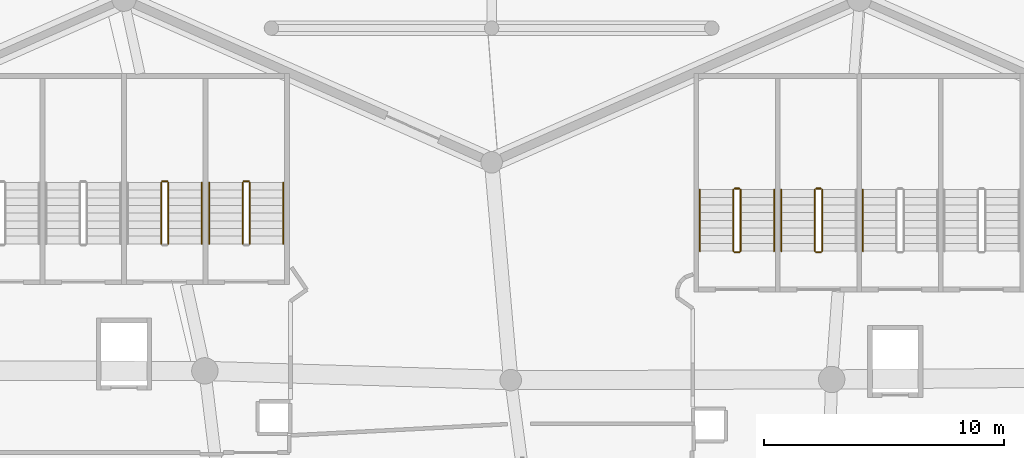
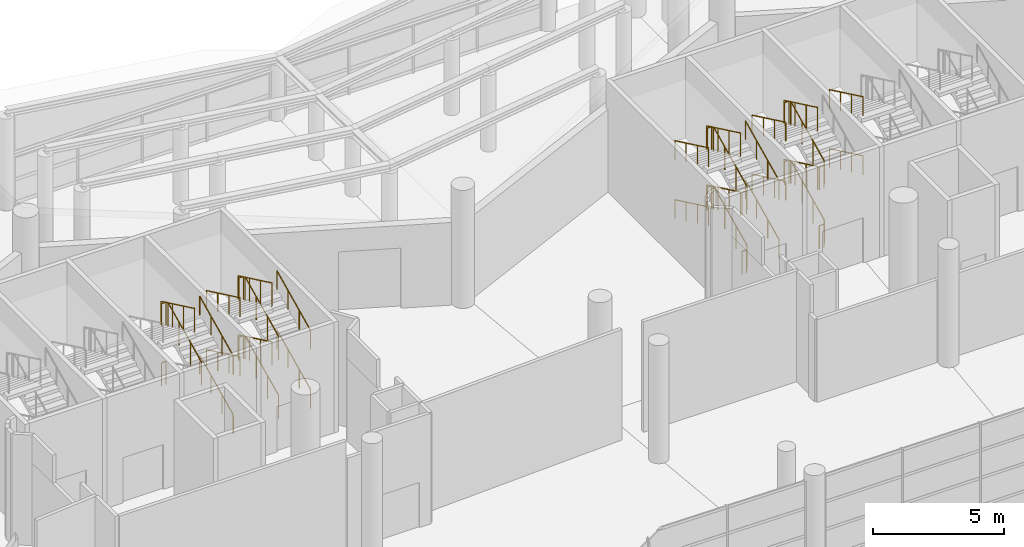
# One storey, part 259 of 271: 40 railings.
"""IFC4 building model written with IfcOpenShell, lengths in metres."""

from ifc_helpers import new_model, si_unit, direction, frame, origin, origin_2d, place, context, subcontext, project, spatial, circle, extrude, material, type_object, element, save


model = new_model("IFC4")

# Units and contexts
model_context = context("Model", 3, precision=1e-05, world=origin(), true_north=direction((0.0, 1.0)))
body_context = subcontext(model_context, "Body", "Model", "MODEL_VIEW")
ifc_project = project(units=[si_unit("LENGTHUNIT", "METRE"), si_unit("AREAUNIT", "SQUARE_METRE"), si_unit("VOLUMEUNIT", "CUBIC_METRE"), si_unit("PLANEANGLEUNIT", "RADIAN"), si_unit("MASSUNIT", "GRAM", prefix="KILO")], contexts=[model_context])

# Site, building, storey
site_placement = place(None, origin())
site = spatial("IfcSite", under=ifc_project, at=site_placement, CompositionType="ELEMENT")
building_placement = place(site_placement, origin())
building = spatial("IfcBuilding", under=site, at=building_placement, Name="Meseta Stadium", CompositionType="ELEMENT")
storey_placement = place(building_placement, frame((0.0, 0.0, 6.5)))
storey = spatial("IfcBuildingStorey", under=building, at=storey_placement, Name="L01", CompositionType="ELEMENT", Elevation=6.5)

# Railings
ifc_material_1 = material(Name="Steel S355", Category="steel")
railing_type_1 = type_object("IfcRailingType", Name="Stair guard 1100", PredefinedType="GUARDRAIL", material=ifc_material_1)
railing_1_placement = place(storey_placement, frame((6.11669921875, 94.89990234375, 0.15283203125)))
element("IfcRailing", 1, at=railing_1_placement, inside=storey, type_object=railing_type_1, Name="ST39 L01 guard 1", PredefinedType="GUARDRAIL", context=body_context, shape_type="SweptSolid", body=[
    extrude(circle(Radius=0.02392578125, at=origin_2d()), frame((0.0, 0.0, 1.076171875), z_axis=(0.0, 0.902436934422, 0.430821981091), x_axis=(-1.0, 0.0, 0.0)), (0.0, 0.0, 1.0), 2.8369140625),
    extrude(circle(Radius=0.02099609375, at=origin_2d()), origin(), (0.0, 0.0, 1.0), 1.052001953125),
    extrude(circle(Radius=0.02099609375, at=origin_2d()), frame((0.0, 0.853271484375, 0.407470703125)), (0.0, 0.0, 1.0), 1.052001953125),
    extrude(circle(Radius=0.02099609375, at=origin_2d()), frame((0.0, 1.706787109375, 0.814697265625)), (0.0, 0.0, 1.0), 1.052001953125),
    extrude(circle(Radius=0.02099609375, at=origin_2d()), frame((0.0, 2.56005859375, 1.22216796875)), (0.0, 0.0, 1.0), 1.052001953125),
])
railing_2_placement = place(storey_placement, frame((6.066650390625, 97.510009765625, 1.375)))
element("IfcRailing", 2, at=railing_2_placement, inside=storey, type_object=railing_type_1, Name="ST39 L01 guard 2", PredefinedType="GUARDRAIL", context=body_context, shape_type="SweptSolid", body=[
    extrude(circle(Radius=0.02392578125, at=origin_2d()), frame((0.0, 0.0, 1.076171875), z_axis=(-1.0, 0.0, 0.0), x_axis=(0.0, -1.0, 0.0)), (0.0, 0.0, 1.0), 0.199951171875),
    extrude(circle(Radius=0.02099609375, at=origin_2d()), origin(), (0.0, 0.0, 1.0), 1.052001953125),
    extrude(circle(Radius=0.02099609375, at=origin_2d()), frame((-0.199951171875, 0.0, 0.0)), (0.0, 0.0, 1.0), 1.052001953125),
])
railing_3_placement = place(storey_placement, frame((5.816650390625, 97.4599609375, 1.52783203125)))
element("IfcRailing", 3, at=railing_3_placement, inside=storey, type_object=railing_type_1, Name="ST39 L01 guard 3", PredefinedType="GUARDRAIL", context=body_context, shape_type="SweptSolid", body=[
    extrude(circle(Radius=0.02392578125, at=origin_2d()), frame((0.0, 0.0, 1.076171875), z_axis=(0.0, -0.902436934422, 0.430821981091), x_axis=(1.0, 0.0, 0.0)), (0.0, 0.0, 1.0), 2.8369140625),
    extrude(circle(Radius=0.02099609375, at=origin_2d()), origin(), (0.0, 0.0, 1.0), 1.052001953125),
    extrude(circle(Radius=0.02099609375, at=origin_2d()), frame((0.0, -0.853271484375, 0.407470703125)), (0.0, 0.0, 1.0), 1.052001953125),
    extrude(circle(Radius=0.02099609375, at=origin_2d()), frame((0.0, -1.706787109375, 0.814697265625)), (0.0, 0.0, 1.0), 1.052001953125),
    extrude(circle(Radius=0.02099609375, at=origin_2d()), frame((0.0, -2.56005859375, 1.22216796875)), (0.0, 0.0, 1.0), 1.052001953125),
])
railing_4_placement = place(storey_placement, frame((6.066650390625, 94.85009765625, 2.75)))
element("IfcRailing", 4, at=railing_4_placement, inside=storey, type_object=railing_type_1, Name="ST39 L01 guard 4", PredefinedType="GUARDRAIL", context=body_context, shape_type="SweptSolid", body=[
    extrude(circle(Radius=0.02392578125, at=origin_2d()), frame((0.0, 0.0, 1.076171875), z_axis=(-1.0, 0.0, 0.0), x_axis=(0.0, -1.0, 0.0)), (0.0, 0.0, 1.0), 0.199951171875),
    extrude(circle(Radius=0.02099609375, at=origin_2d()), origin(), (0.0, 0.0, 1.0), 1.052001953125),
    extrude(circle(Radius=0.02099609375, at=origin_2d()), frame((-0.199951171875, 0.0, 0.0)), (0.0, 0.0, 1.0), 1.052001953125),
])
railing_5_placement = place(storey_placement, frame((6.11669921875, 94.89990234375, 2.90283203125)))
element("IfcRailing", 5, at=railing_5_placement, inside=storey, type_object=railing_type_1, Name="ST39 L01 guard 5", PredefinedType="GUARDRAIL", context=body_context, shape_type="SweptSolid", body=[
    extrude(circle(Radius=0.02392578125, at=origin_2d()), frame((0.0, 0.0, 1.076171875), z_axis=(0.0, 0.902436934422, 0.430821981091), x_axis=(-1.0, 0.0, 0.0)), (0.0, 0.0, 1.0), 2.8369140625),
    extrude(circle(Radius=0.02099609375, at=origin_2d()), origin(), (0.0, 0.0, 1.0), 1.052001953125),
    extrude(circle(Radius=0.02099609375, at=origin_2d()), frame((0.0, 0.853271484375, 0.407470703125)), (0.0, 0.0, 1.0), 1.052001953125),
    extrude(circle(Radius=0.02099609375, at=origin_2d()), frame((0.0, 1.706787109375, 0.814697265625)), (0.0, 0.0, 1.0), 1.052001953125),
    extrude(circle(Radius=0.02099609375, at=origin_2d()), frame((0.0, 2.56005859375, 1.22216796875)), (0.0, 0.0, 1.0), 1.052001953125),
])
railing_6_placement = place(storey_placement, frame((6.066650390625, 97.510009765625, 4.125)))
element("IfcRailing", 6, at=railing_6_placement, inside=storey, type_object=railing_type_1, Name="ST39 L01 guard 6", PredefinedType="GUARDRAIL", context=body_context, shape_type="SweptSolid", body=[
    extrude(circle(Radius=0.02392578125, at=origin_2d()), frame((0.0, 0.0, 1.076171875), z_axis=(-1.0, 0.0, 0.0), x_axis=(0.0, -1.0, 0.0)), (0.0, 0.0, 1.0), 0.199951171875),
    extrude(circle(Radius=0.02099609375, at=origin_2d()), origin(), (0.0, 0.0, 1.0), 1.052001953125),
    extrude(circle(Radius=0.02099609375, at=origin_2d()), frame((-0.199951171875, 0.0, 0.0)), (0.0, 0.0, 1.0), 1.052001953125),
])
railing_7_placement = place(storey_placement, frame((5.816650390625, 97.4599609375, 4.27783203125)))
element("IfcRailing", 7, at=railing_7_placement, inside=storey, type_object=railing_type_1, Name="ST39 L01 guard 7", PredefinedType="GUARDRAIL", context=body_context, shape_type="SweptSolid", body=[
    extrude(circle(Radius=0.02392578125, at=origin_2d()), frame((0.0, 0.0, 1.076171875), z_axis=(0.0, -0.902436934422, 0.430821981091), x_axis=(1.0, 0.0, 0.0)), (0.0, 0.0, 1.0), 2.8369140625),
    extrude(circle(Radius=0.02099609375, at=origin_2d()), origin(), (0.0, 0.0, 1.0), 1.052001953125),
    extrude(circle(Radius=0.02099609375, at=origin_2d()), frame((0.0, -0.853271484375, 0.407470703125)), (0.0, 0.0, 1.0), 1.052001953125),
    extrude(circle(Radius=0.02099609375, at=origin_2d()), frame((0.0, -1.706787109375, 0.814697265625)), (0.0, 0.0, 1.0), 1.052001953125),
    extrude(circle(Radius=0.02099609375, at=origin_2d()), frame((0.0, -2.56005859375, 1.22216796875)), (0.0, 0.0, 1.0), 1.052001953125),
])
railing_8_placement = place(storey_placement, frame((6.066650390625, 94.85009765625, 0.0)))
element("IfcRailing", 8, at=railing_8_placement, inside=storey, type_object=railing_type_1, Name="ST39 L01 guard 8", PredefinedType="GUARDRAIL", context=body_context, shape_type="SweptSolid", body=[
    extrude(circle(Radius=0.02392578125, at=origin_2d()), frame((0.0, 0.0, 1.076171875), z_axis=(-1.0, 0.0, 0.0), x_axis=(0.0, -1.0, 0.0)), (0.0, 0.0, 1.0), 0.199951171875),
    extrude(circle(Radius=0.02099609375, at=origin_2d()), origin(), (0.0, 0.0, 1.0), 1.052001953125),
    extrude(circle(Radius=0.02099609375, at=origin_2d()), frame((-0.199951171875, 0.0, 0.0)), (0.0, 0.0, 1.0), 1.052001953125),
])
railing_9_placement = place(storey_placement, frame((2.716552734375, 94.89990234375, 0.15283203125)))
element("IfcRailing", 9, at=railing_9_placement, inside=storey, type_object=railing_type_1, Name="ST40 L01 guard 1", PredefinedType="GUARDRAIL", context=body_context, shape_type="SweptSolid", body=[
    extrude(circle(Radius=0.02392578125, at=origin_2d()), frame((0.0, 0.0, 1.076171875), z_axis=(0.0, 0.902436934422, 0.430821981091), x_axis=(-1.0, 0.0, 0.0)), (0.0, 0.0, 1.0), 2.8369140625),
    extrude(circle(Radius=0.02099609375, at=origin_2d()), origin(), (0.0, 0.0, 1.0), 1.052001953125),
    extrude(circle(Radius=0.02099609375, at=origin_2d()), frame((0.0, 0.853271484375, 0.407470703125)), (0.0, 0.0, 1.0), 1.052001953125),
    extrude(circle(Radius=0.02099609375, at=origin_2d()), frame((0.0, 1.706787109375, 0.814697265625)), (0.0, 0.0, 1.0), 1.052001953125),
    extrude(circle(Radius=0.02099609375, at=origin_2d()), frame((0.0, 2.56005859375, 1.22216796875)), (0.0, 0.0, 1.0), 1.052001953125),
])
railing_10_placement = place(storey_placement, frame((2.666748046875, 97.510009765625, 1.375)))
element("IfcRailing", 10, at=railing_10_placement, inside=storey, type_object=railing_type_1, Name="ST40 L01 guard 2", PredefinedType="GUARDRAIL", context=body_context, shape_type="SweptSolid", body=[
    extrude(circle(Radius=0.02392578125, at=origin_2d()), frame((0.0, 0.0, 1.076171875), z_axis=(-1.0, 0.0, 0.0), x_axis=(0.0, -1.0, 0.0)), (0.0, 0.0, 1.0), 0.2001953125),
    extrude(circle(Radius=0.02099609375, at=origin_2d()), origin(), (0.0, 0.0, 1.0), 1.052001953125),
    extrude(circle(Radius=0.02099609375, at=origin_2d()), frame((-0.2001953125, 0.0, 0.0)), (0.0, 0.0, 1.0), 1.052001953125),
])
railing_11_placement = place(storey_placement, frame((2.416748046875, 97.4599609375, 1.52783203125)))
element("IfcRailing", 11, at=railing_11_placement, inside=storey, type_object=railing_type_1, Name="ST40 L01 guard 3", PredefinedType="GUARDRAIL", context=body_context, shape_type="SweptSolid", body=[
    extrude(circle(Radius=0.02392578125, at=origin_2d()), frame((0.0, 0.0, 1.076171875), z_axis=(0.0, -0.902436934422, 0.430821981091), x_axis=(1.0, 0.0, 0.0)), (0.0, 0.0, 1.0), 2.8369140625),
    extrude(circle(Radius=0.02099609375, at=origin_2d()), origin(), (0.0, 0.0, 1.0), 1.052001953125),
    extrude(circle(Radius=0.02099609375, at=origin_2d()), frame((0.0, -0.853271484375, 0.407470703125)), (0.0, 0.0, 1.0), 1.052001953125),
    extrude(circle(Radius=0.02099609375, at=origin_2d()), frame((0.0, -1.706787109375, 0.814697265625)), (0.0, 0.0, 1.0), 1.052001953125),
    extrude(circle(Radius=0.02099609375, at=origin_2d()), frame((0.0, -2.56005859375, 1.22216796875)), (0.0, 0.0, 1.0), 1.052001953125),
])
railing_12_placement = place(storey_placement, frame((2.666748046875, 94.85009765625, 2.75)))
element("IfcRailing", 12, at=railing_12_placement, inside=storey, type_object=railing_type_1, Name="ST40 L01 guard 4", PredefinedType="GUARDRAIL", context=body_context, shape_type="SweptSolid", body=[
    extrude(circle(Radius=0.02392578125, at=origin_2d()), frame((0.0, 0.0, 1.076171875), z_axis=(-1.0, 0.0, 0.0), x_axis=(0.0, -1.0, 0.0)), (0.0, 0.0, 1.0), 0.2001953125),
    extrude(circle(Radius=0.02099609375, at=origin_2d()), origin(), (0.0, 0.0, 1.0), 1.052001953125),
    extrude(circle(Radius=0.02099609375, at=origin_2d()), frame((-0.2001953125, 0.0, 0.0)), (0.0, 0.0, 1.0), 1.052001953125),
])
railing_13_placement = place(storey_placement, frame((2.716552734375, 94.89990234375, 2.90283203125)))
element("IfcRailing", 13, at=railing_13_placement, inside=storey, type_object=railing_type_1, Name="ST40 L01 guard 5", PredefinedType="GUARDRAIL", context=body_context, shape_type="SweptSolid", body=[
    extrude(circle(Radius=0.02392578125, at=origin_2d()), frame((0.0, 0.0, 1.076171875), z_axis=(0.0, 0.902436934422, 0.430821981091), x_axis=(-1.0, 0.0, 0.0)), (0.0, 0.0, 1.0), 2.8369140625),
    extrude(circle(Radius=0.02099609375, at=origin_2d()), origin(), (0.0, 0.0, 1.0), 1.052001953125),
    extrude(circle(Radius=0.02099609375, at=origin_2d()), frame((0.0, 0.853271484375, 0.407470703125)), (0.0, 0.0, 1.0), 1.052001953125),
    extrude(circle(Radius=0.02099609375, at=origin_2d()), frame((0.0, 1.706787109375, 0.814697265625)), (0.0, 0.0, 1.0), 1.052001953125),
    extrude(circle(Radius=0.02099609375, at=origin_2d()), frame((0.0, 2.56005859375, 1.22216796875)), (0.0, 0.0, 1.0), 1.052001953125),
])
railing_14_placement = place(storey_placement, frame((2.666748046875, 97.510009765625, 4.125)))
element("IfcRailing", 14, at=railing_14_placement, inside=storey, type_object=railing_type_1, Name="ST40 L01 guard 6", PredefinedType="GUARDRAIL", context=body_context, shape_type="SweptSolid", body=[
    extrude(circle(Radius=0.02392578125, at=origin_2d()), frame((0.0, 0.0, 1.076171875), z_axis=(-1.0, 0.0, 0.0), x_axis=(0.0, -1.0, 0.0)), (0.0, 0.0, 1.0), 0.2001953125),
    extrude(circle(Radius=0.02099609375, at=origin_2d()), origin(), (0.0, 0.0, 1.0), 1.052001953125),
    extrude(circle(Radius=0.02099609375, at=origin_2d()), frame((-0.2001953125, 0.0, 0.0)), (0.0, 0.0, 1.0), 1.052001953125),
])
railing_15_placement = place(storey_placement, frame((2.416748046875, 97.4599609375, 4.27783203125)))
element("IfcRailing", 15, at=railing_15_placement, inside=storey, type_object=railing_type_1, Name="ST40 L01 guard 7", PredefinedType="GUARDRAIL", context=body_context, shape_type="SweptSolid", body=[
    extrude(circle(Radius=0.02392578125, at=origin_2d()), frame((0.0, 0.0, 1.076171875), z_axis=(0.0, -0.902436934422, 0.430821981091), x_axis=(1.0, 0.0, 0.0)), (0.0, 0.0, 1.0), 2.8369140625),
    extrude(circle(Radius=0.02099609375, at=origin_2d()), origin(), (0.0, 0.0, 1.0), 1.052001953125),
    extrude(circle(Radius=0.02099609375, at=origin_2d()), frame((0.0, -0.853271484375, 0.407470703125)), (0.0, 0.0, 1.0), 1.052001953125),
    extrude(circle(Radius=0.02099609375, at=origin_2d()), frame((0.0, -1.706787109375, 0.814697265625)), (0.0, 0.0, 1.0), 1.052001953125),
    extrude(circle(Radius=0.02099609375, at=origin_2d()), frame((0.0, -2.56005859375, 1.22216796875)), (0.0, 0.0, 1.0), 1.052001953125),
])
railing_16_placement = place(storey_placement, frame((2.666748046875, 94.85009765625, 0.0)))
element("IfcRailing", 16, at=railing_16_placement, inside=storey, type_object=railing_type_1, Name="ST40 L01 guard 8", PredefinedType="GUARDRAIL", context=body_context, shape_type="SweptSolid", body=[
    extrude(circle(Radius=0.02392578125, at=origin_2d()), frame((0.0, 0.0, 1.076171875), z_axis=(-1.0, 0.0, 0.0), x_axis=(0.0, -1.0, 0.0)), (0.0, 0.0, 1.0), 0.2001953125),
    extrude(circle(Radius=0.02099609375, at=origin_2d()), origin(), (0.0, 0.0, 1.0), 1.052001953125),
    extrude(circle(Radius=0.02099609375, at=origin_2d()), frame((-0.2001953125, 0.0, 0.0)), (0.0, 0.0, 1.0), 1.052001953125),
])
railing_17_placement = place(storey_placement, frame((-17.75, 95.199951171875, 0.15283203125)))
element("IfcRailing", 17, at=railing_17_placement, inside=storey, type_object=railing_type_1, Name="ST41 L01 guard 1", PredefinedType="GUARDRAIL", context=body_context, shape_type="SweptSolid", body=[
    extrude(circle(Radius=0.02392578125, at=origin_2d()), frame((0.0, 0.0, 1.076171875), z_axis=(0.0, 0.902436934422, 0.430821981091), x_axis=(-1.0, 0.0, 0.0)), (0.0, 0.0, 1.0), 2.8369140625),
    extrude(circle(Radius=0.02099609375, at=origin_2d()), origin(), (0.0, 0.0, 1.0), 1.052001953125),
    extrude(circle(Radius=0.02099609375, at=origin_2d()), frame((0.0, 0.853271484375, 0.407470703125)), (0.0, 0.0, 1.0), 1.052001953125),
    extrude(circle(Radius=0.02099609375, at=origin_2d()), frame((0.0, 1.706787109375, 0.814697265625)), (0.0, 0.0, 1.0), 1.052001953125),
    extrude(circle(Radius=0.02099609375, at=origin_2d()), frame((0.0, 2.56005859375, 1.22216796875)), (0.0, 0.0, 1.0), 1.052001953125),
])
railing_18_placement = place(storey_placement, frame((-17.800048828125, 97.81005859375, 1.375)))
element("IfcRailing", 18, at=railing_18_placement, inside=storey, type_object=railing_type_1, Name="ST41 L01 guard 2", PredefinedType="GUARDRAIL", context=body_context, shape_type="SweptSolid", body=[
    extrude(circle(Radius=0.02392578125, at=origin_2d()), frame((0.0, 0.0, 1.076171875), z_axis=(-1.0, 0.0, 0.0), x_axis=(0.0, -1.0, 0.0)), (0.0, 0.0, 1.0), 0.199951171875),
    extrude(circle(Radius=0.02099609375, at=origin_2d()), origin(), (0.0, 0.0, 1.0), 1.052001953125),
    extrude(circle(Radius=0.02099609375, at=origin_2d()), frame((-0.199951171875, 0.0, 0.0)), (0.0, 0.0, 1.0), 1.052001953125),
])
railing_19_placement = place(storey_placement, frame((-18.050048828125, 97.760009765625, 1.52783203125)))
element("IfcRailing", 19, at=railing_19_placement, inside=storey, type_object=railing_type_1, Name="ST41 L01 guard 3", PredefinedType="GUARDRAIL", context=body_context, shape_type="SweptSolid", body=[
    extrude(circle(Radius=0.02392578125, at=origin_2d()), frame((0.0, 0.0, 1.076171875), z_axis=(0.0, -0.902436934422, 0.430821981091), x_axis=(1.0, 0.0, 0.0)), (0.0, 0.0, 1.0), 2.8369140625),
    extrude(circle(Radius=0.02099609375, at=origin_2d()), origin(), (0.0, 0.0, 1.0), 1.052001953125),
    extrude(circle(Radius=0.02099609375, at=origin_2d()), frame((0.0, -0.853271484375, 0.407470703125)), (0.0, 0.0, 1.0), 1.052001953125),
    extrude(circle(Radius=0.02099609375, at=origin_2d()), frame((0.0, -1.706787109375, 0.814697265625)), (0.0, 0.0, 1.0), 1.052001953125),
    extrude(circle(Radius=0.02099609375, at=origin_2d()), frame((0.0, -2.56005859375, 1.22216796875)), (0.0, 0.0, 1.0), 1.052001953125),
])
railing_20_placement = place(storey_placement, frame((-17.75, 95.199951171875, 2.90283203125)))
element("IfcRailing", 20, at=railing_20_placement, inside=storey, type_object=railing_type_1, Name="ST41 L01 guard 5", PredefinedType="GUARDRAIL", context=body_context, shape_type="SweptSolid", body=[
    extrude(circle(Radius=0.02392578125, at=origin_2d()), frame((0.0, 0.0, 1.076171875), z_axis=(0.0, 0.902436934422, 0.430821981091), x_axis=(-1.0, 0.0, 0.0)), (0.0, 0.0, 1.0), 2.8369140625),
    extrude(circle(Radius=0.02099609375, at=origin_2d()), origin(), (0.0, 0.0, 1.0), 1.052001953125),
    extrude(circle(Radius=0.02099609375, at=origin_2d()), frame((0.0, 0.853271484375, 0.407470703125)), (0.0, 0.0, 1.0), 1.052001953125),
    extrude(circle(Radius=0.02099609375, at=origin_2d()), frame((0.0, 1.706787109375, 0.814697265625)), (0.0, 0.0, 1.0), 1.052001953125),
    extrude(circle(Radius=0.02099609375, at=origin_2d()), frame((0.0, 2.56005859375, 1.22216796875)), (0.0, 0.0, 1.0), 1.052001953125),
])
railing_21_placement = place(storey_placement, frame((-17.800048828125, 97.81005859375, 4.125)))
element("IfcRailing", 21, at=railing_21_placement, inside=storey, type_object=railing_type_1, Name="ST41 L01 guard 6", PredefinedType="GUARDRAIL", context=body_context, shape_type="SweptSolid", body=[
    extrude(circle(Radius=0.02392578125, at=origin_2d()), frame((0.0, 0.0, 1.076171875), z_axis=(-1.0, 0.0, 0.0), x_axis=(0.0, -1.0, 0.0)), (0.0, 0.0, 1.0), 0.199951171875),
    extrude(circle(Radius=0.02099609375, at=origin_2d()), origin(), (0.0, 0.0, 1.0), 1.052001953125),
    extrude(circle(Radius=0.02099609375, at=origin_2d()), frame((-0.199951171875, 0.0, 0.0)), (0.0, 0.0, 1.0), 1.052001953125),
])
railing_22_placement = place(storey_placement, frame((-18.050048828125, 97.760009765625, 4.27783203125)))
element("IfcRailing", 22, at=railing_22_placement, inside=storey, type_object=railing_type_1, Name="ST41 L01 guard 7", PredefinedType="GUARDRAIL", context=body_context, shape_type="SweptSolid", body=[
    extrude(circle(Radius=0.02392578125, at=origin_2d()), frame((0.0, 0.0, 1.076171875), z_axis=(0.0, -0.902436934422, 0.430821981091), x_axis=(1.0, 0.0, 0.0)), (0.0, 0.0, 1.0), 2.8369140625),
    extrude(circle(Radius=0.02099609375, at=origin_2d()), origin(), (0.0, 0.0, 1.0), 1.052001953125),
    extrude(circle(Radius=0.02099609375, at=origin_2d()), frame((0.0, -0.853271484375, 0.407470703125)), (0.0, 0.0, 1.0), 1.052001953125),
    extrude(circle(Radius=0.02099609375, at=origin_2d()), frame((0.0, -1.706787109375, 0.814697265625)), (0.0, 0.0, 1.0), 1.052001953125),
    extrude(circle(Radius=0.02099609375, at=origin_2d()), frame((0.0, -2.56005859375, 1.22216796875)), (0.0, 0.0, 1.0), 1.052001953125),
])
railing_23_placement = place(storey_placement, frame((-21.199951171875, 97.81005859375, 1.375)))
element("IfcRailing", 23, at=railing_23_placement, inside=storey, type_object=railing_type_1, Name="ST42 L01 guard 2", PredefinedType="GUARDRAIL", context=body_context, shape_type="SweptSolid", body=[
    extrude(circle(Radius=0.02392578125, at=origin_2d()), frame((0.0, 0.0, 1.076171875), z_axis=(-1.0, 0.0, 0.0), x_axis=(0.0, -1.0, 0.0)), (0.0, 0.0, 1.0), 0.199951171875),
    extrude(circle(Radius=0.02099609375, at=origin_2d()), origin(), (0.0, 0.0, 1.0), 1.052001953125),
    extrude(circle(Radius=0.02099609375, at=origin_2d()), frame((-0.199951171875, 0.0, 0.0)), (0.0, 0.0, 1.0), 1.052001953125),
])
railing_24_placement = place(storey_placement, frame((-21.14990234375, 95.199951171875, 2.90283203125)))
element("IfcRailing", 24, at=railing_24_placement, inside=storey, type_object=railing_type_1, Name="ST42 L01 guard 5", PredefinedType="GUARDRAIL", context=body_context, shape_type="SweptSolid", body=[
    extrude(circle(Radius=0.02392578125, at=origin_2d()), frame((0.0, 0.0, 1.076171875), z_axis=(0.0, 0.902436934422, 0.430821981091), x_axis=(-1.0, 0.0, 0.0)), (0.0, 0.0, 1.0), 2.8369140625),
    extrude(circle(Radius=0.02099609375, at=origin_2d()), origin(), (0.0, 0.0, 1.0), 1.052001953125),
    extrude(circle(Radius=0.02099609375, at=origin_2d()), frame((0.0, 0.853271484375, 0.407470703125)), (0.0, 0.0, 1.0), 1.052001953125),
    extrude(circle(Radius=0.02099609375, at=origin_2d()), frame((0.0, 1.706787109375, 0.814697265625)), (0.0, 0.0, 1.0), 1.052001953125),
    extrude(circle(Radius=0.02099609375, at=origin_2d()), frame((0.0, 2.56005859375, 1.22216796875)), (0.0, 0.0, 1.0), 1.052001953125),
])
railing_25_placement = place(storey_placement, frame((-21.199951171875, 97.81005859375, 4.125)))
element("IfcRailing", 25, at=railing_25_placement, inside=storey, type_object=railing_type_1, Name="ST42 L01 guard 6", PredefinedType="GUARDRAIL", context=body_context, shape_type="SweptSolid", body=[
    extrude(circle(Radius=0.02392578125, at=origin_2d()), frame((0.0, 0.0, 1.076171875), z_axis=(-1.0, 0.0, 0.0), x_axis=(0.0, -1.0, 0.0)), (0.0, 0.0, 1.0), 0.199951171875),
    extrude(circle(Radius=0.02099609375, at=origin_2d()), origin(), (0.0, 0.0, 1.0), 1.052001953125),
    extrude(circle(Radius=0.02099609375, at=origin_2d()), frame((-0.199951171875, 0.0, 0.0)), (0.0, 0.0, 1.0), 1.052001953125),
])
railing_26_placement = place(storey_placement, frame((-21.449951171875, 97.760009765625, 4.27783203125)))
element("IfcRailing", 26, at=railing_26_placement, inside=storey, type_object=railing_type_1, Name="ST42 L01 guard 7", PredefinedType="GUARDRAIL", context=body_context, shape_type="SweptSolid", body=[
    extrude(circle(Radius=0.02392578125, at=origin_2d()), frame((0.0, 0.0, 1.076171875), z_axis=(0.0, -0.902436934422, 0.430821981091), x_axis=(1.0, 0.0, 0.0)), (0.0, 0.0, 1.0), 2.8369140625),
    extrude(circle(Radius=0.02099609375, at=origin_2d()), origin(), (0.0, 0.0, 1.0), 1.052001953125),
    extrude(circle(Radius=0.02099609375, at=origin_2d()), frame((0.0, -0.853271484375, 0.407470703125)), (0.0, 0.0, 1.0), 1.052001953125),
    extrude(circle(Radius=0.02099609375, at=origin_2d()), frame((0.0, -1.706787109375, 0.814697265625)), (0.0, 0.0, 1.0), 1.052001953125),
    extrude(circle(Radius=0.02099609375, at=origin_2d()), frame((0.0, -2.56005859375, 1.22216796875)), (0.0, 0.0, 1.0), 1.052001953125),
])
ifc_material_2 = material(Name="Steel S355", Category="steel")
railing_type_2 = type_object("IfcRailingType", Name="Stair handrail 900", PredefinedType="HANDRAIL", material=ifc_material_2)
for number, where, name in (
    (27, (7.816650390625, 97.4599609375, 1.52783203125), "ST38 L01 handrail 2"),
    (28, (7.816650390625, 97.4599609375, 4.27783203125), "ST38 L01 handrail 4"),
    (29, (4.416748046875, 97.4599609375, 1.52783203125), "ST39 L01 handrail 2"),
    (30, (4.416748046875, 97.4599609375, 4.27783203125), "ST39 L01 handrail 4"),
):
    element("IfcRailing", number, at=place(storey_placement, frame(where)), inside=storey, type_object=railing_type_2, Name=name, PredefinedType="HANDRAIL", context=body_context, shape_type="SweptSolid", body=[
        extrude(circle(Radius=0.02392578125, at=origin_2d()), frame((0.0, 0.0, 0.8759765625), z_axis=(0.0, -0.902436934422, 0.430821981091), x_axis=(1.0, 0.0, 0.0)), (0.0, 0.0, 1.0), 2.8369140625),
        extrude(circle(Radius=0.02099609375, at=origin_2d()), origin(), (0.0, 0.0, 1.0), 0.851806640625),
        extrude(circle(Radius=0.02099609375, at=origin_2d()), frame((0.0, -0.853271484375, 0.407470703125)), (0.0, 0.0, 1.0), 0.851806640625),
        extrude(circle(Radius=0.02099609375, at=origin_2d()), frame((0.0, -1.706787109375, 0.814697265625)), (0.0, 0.0, 1.0), 0.851806640625),
        extrude(circle(Radius=0.02099609375, at=origin_2d()), frame((0.0, -2.56005859375, 1.22216796875)), (0.0, 0.0, 1.0), 0.851806640625),
    ])
railing_27_placement = place(storey_placement, frame((4.11669921875, 94.89990234375, 0.15283203125)))
element("IfcRailing", 31, at=railing_27_placement, inside=storey, type_object=railing_type_2, Name="ST40 L01 handrail 1", PredefinedType="HANDRAIL", context=body_context, shape_type="SweptSolid", body=[
    extrude(circle(Radius=0.02392578125, at=origin_2d()), frame((0.0, 0.0, 0.8759765625), z_axis=(0.0, 0.902436934422, 0.430821981091), x_axis=(-1.0, 0.0, 0.0)), (0.0, 0.0, 1.0), 2.8369140625),
    extrude(circle(Radius=0.02099609375, at=origin_2d()), origin(), (0.0, 0.0, 1.0), 0.851806640625),
    extrude(circle(Radius=0.02099609375, at=origin_2d()), frame((0.0, 0.853271484375, 0.407470703125)), (0.0, 0.0, 1.0), 0.851806640625),
    extrude(circle(Radius=0.02099609375, at=origin_2d()), frame((0.0, 1.706787109375, 0.814697265625)), (0.0, 0.0, 1.0), 0.851806640625),
    extrude(circle(Radius=0.02099609375, at=origin_2d()), frame((0.0, 2.56005859375, 1.22216796875)), (0.0, 0.0, 1.0), 0.851806640625),
])
railing_28_placement = place(storey_placement, frame((1.0166015625, 97.4599609375, 1.52783203125)))
element("IfcRailing", 32, at=railing_28_placement, inside=storey, type_object=railing_type_2, Name="ST40 L01 handrail 2", PredefinedType="HANDRAIL", context=body_context, shape_type="SweptSolid", body=[
    extrude(circle(Radius=0.02392578125, at=origin_2d()), frame((0.0, 0.0, 0.8759765625), z_axis=(0.0, -0.902436934422, 0.430821981091), x_axis=(1.0, 0.0, 0.0)), (0.0, 0.0, 1.0), 2.8369140625),
    extrude(circle(Radius=0.02099609375, at=origin_2d()), origin(), (0.0, 0.0, 1.0), 0.851806640625),
    extrude(circle(Radius=0.02099609375, at=origin_2d()), frame((0.0, -0.853271484375, 0.407470703125)), (0.0, 0.0, 1.0), 0.851806640625),
    extrude(circle(Radius=0.02099609375, at=origin_2d()), frame((0.0, -1.706787109375, 0.814697265625)), (0.0, 0.0, 1.0), 0.851806640625),
    extrude(circle(Radius=0.02099609375, at=origin_2d()), frame((0.0, -2.56005859375, 1.22216796875)), (0.0, 0.0, 1.0), 0.851806640625),
])
railing_29_placement = place(storey_placement, frame((4.11669921875, 94.89990234375, 2.90283203125)))
element("IfcRailing", 33, at=railing_29_placement, inside=storey, type_object=railing_type_2, Name="ST40 L01 handrail 3", PredefinedType="HANDRAIL", context=body_context, shape_type="SweptSolid", body=[
    extrude(circle(Radius=0.02392578125, at=origin_2d()), frame((0.0, 0.0, 0.8759765625), z_axis=(0.0, 0.902436934422, 0.430821981091), x_axis=(-1.0, 0.0, 0.0)), (0.0, 0.0, 1.0), 2.8369140625),
    extrude(circle(Radius=0.02099609375, at=origin_2d()), origin(), (0.0, 0.0, 1.0), 0.851806640625),
    extrude(circle(Radius=0.02099609375, at=origin_2d()), frame((0.0, 0.853271484375, 0.407470703125)), (0.0, 0.0, 1.0), 0.851806640625),
    extrude(circle(Radius=0.02099609375, at=origin_2d()), frame((0.0, 1.706787109375, 0.814697265625)), (0.0, 0.0, 1.0), 0.851806640625),
    extrude(circle(Radius=0.02099609375, at=origin_2d()), frame((0.0, 2.56005859375, 1.22216796875)), (0.0, 0.0, 1.0), 0.851806640625),
])
railing_30_placement = place(storey_placement, frame((1.0166015625, 97.4599609375, 4.27783203125)))
element("IfcRailing", 34, at=railing_30_placement, inside=storey, type_object=railing_type_2, Name="ST40 L01 handrail 4", PredefinedType="HANDRAIL", context=body_context, shape_type="SweptSolid", body=[
    extrude(circle(Radius=0.02392578125, at=origin_2d()), frame((0.0, 0.0, 0.8759765625), z_axis=(0.0, -0.902436934422, 0.430821981091), x_axis=(1.0, 0.0, 0.0)), (0.0, 0.0, 1.0), 2.8369140625),
    extrude(circle(Radius=0.02099609375, at=origin_2d()), origin(), (0.0, 0.0, 1.0), 0.851806640625),
    extrude(circle(Radius=0.02099609375, at=origin_2d()), frame((0.0, -0.853271484375, 0.407470703125)), (0.0, 0.0, 1.0), 0.851806640625),
    extrude(circle(Radius=0.02099609375, at=origin_2d()), frame((0.0, -1.706787109375, 0.814697265625)), (0.0, 0.0, 1.0), 0.851806640625),
    extrude(circle(Radius=0.02099609375, at=origin_2d()), frame((0.0, -2.56005859375, 1.22216796875)), (0.0, 0.0, 1.0), 0.851806640625),
])
railing_31_placement = place(storey_placement, frame((-16.35009765625, 95.199951171875, 0.15283203125)))
element("IfcRailing", 35, at=railing_31_placement, inside=storey, type_object=railing_type_2, Name="ST41 L01 handrail 1", PredefinedType="HANDRAIL", context=body_context, shape_type="SweptSolid", body=[
    extrude(circle(Radius=0.02392578125, at=origin_2d()), frame((0.0, 0.0, 0.8759765625), z_axis=(0.0, 0.902436934422, 0.430821981091), x_axis=(-1.0, 0.0, 0.0)), (0.0, 0.0, 1.0), 2.8369140625),
    extrude(circle(Radius=0.02099609375, at=origin_2d()), origin(), (0.0, 0.0, 1.0), 0.851806640625),
    extrude(circle(Radius=0.02099609375, at=origin_2d()), frame((0.0, 0.853271484375, 0.407470703125)), (0.0, 0.0, 1.0), 0.851806640625),
    extrude(circle(Radius=0.02099609375, at=origin_2d()), frame((0.0, 1.706787109375, 0.814697265625)), (0.0, 0.0, 1.0), 0.851806640625),
    extrude(circle(Radius=0.02099609375, at=origin_2d()), frame((0.0, 2.56005859375, 1.22216796875)), (0.0, 0.0, 1.0), 0.851806640625),
])
railing_32_placement = place(storey_placement, frame((-19.449951171875, 97.760009765625, 1.52783203125)))
element("IfcRailing", 36, at=railing_32_placement, inside=storey, type_object=railing_type_2, Name="ST41 L01 handrail 2", PredefinedType="HANDRAIL", context=body_context, shape_type="SweptSolid", body=[
    extrude(circle(Radius=0.02392578125, at=origin_2d()), frame((0.0, 0.0, 0.8759765625), z_axis=(0.0, -0.902436934422, 0.430821981091), x_axis=(1.0, 0.0, 0.0)), (0.0, 0.0, 1.0), 2.8369140625),
    extrude(circle(Radius=0.02099609375, at=origin_2d()), origin(), (0.0, 0.0, 1.0), 0.851806640625),
    extrude(circle(Radius=0.02099609375, at=origin_2d()), frame((0.0, -0.853271484375, 0.407470703125)), (0.0, 0.0, 1.0), 0.851806640625),
    extrude(circle(Radius=0.02099609375, at=origin_2d()), frame((0.0, -1.706787109375, 0.814697265625)), (0.0, 0.0, 1.0), 0.851806640625),
    extrude(circle(Radius=0.02099609375, at=origin_2d()), frame((0.0, -2.56005859375, 1.22216796875)), (0.0, 0.0, 1.0), 0.851806640625),
])
railing_33_placement = place(storey_placement, frame((-16.35009765625, 95.199951171875, 2.90283203125)))
element("IfcRailing", 37, at=railing_33_placement, inside=storey, type_object=railing_type_2, Name="ST41 L01 handrail 3", PredefinedType="HANDRAIL", context=body_context, shape_type="SweptSolid", body=[
    extrude(circle(Radius=0.02392578125, at=origin_2d()), frame((0.0, 0.0, 0.8759765625), z_axis=(0.0, 0.902436934422, 0.430821981091), x_axis=(-1.0, 0.0, 0.0)), (0.0, 0.0, 1.0), 2.8369140625),
    extrude(circle(Radius=0.02099609375, at=origin_2d()), origin(), (0.0, 0.0, 1.0), 0.851806640625),
    extrude(circle(Radius=0.02099609375, at=origin_2d()), frame((0.0, 0.853271484375, 0.407470703125)), (0.0, 0.0, 1.0), 0.851806640625),
    extrude(circle(Radius=0.02099609375, at=origin_2d()), frame((0.0, 1.706787109375, 0.814697265625)), (0.0, 0.0, 1.0), 0.851806640625),
    extrude(circle(Radius=0.02099609375, at=origin_2d()), frame((0.0, 2.56005859375, 1.22216796875)), (0.0, 0.0, 1.0), 0.851806640625),
])
railing_34_placement = place(storey_placement, frame((-19.449951171875, 97.760009765625, 4.27783203125)))
element("IfcRailing", 38, at=railing_34_placement, inside=storey, type_object=railing_type_2, Name="ST41 L01 handrail 4", PredefinedType="HANDRAIL", context=body_context, shape_type="SweptSolid", body=[
    extrude(circle(Radius=0.02392578125, at=origin_2d()), frame((0.0, 0.0, 0.8759765625), z_axis=(0.0, -0.902436934422, 0.430821981091), x_axis=(1.0, 0.0, 0.0)), (0.0, 0.0, 1.0), 2.8369140625),
    extrude(circle(Radius=0.02099609375, at=origin_2d()), origin(), (0.0, 0.0, 1.0), 0.851806640625),
    extrude(circle(Radius=0.02099609375, at=origin_2d()), frame((0.0, -0.853271484375, 0.407470703125)), (0.0, 0.0, 1.0), 0.851806640625),
    extrude(circle(Radius=0.02099609375, at=origin_2d()), frame((0.0, -1.706787109375, 0.814697265625)), (0.0, 0.0, 1.0), 0.851806640625),
    extrude(circle(Radius=0.02099609375, at=origin_2d()), frame((0.0, -2.56005859375, 1.22216796875)), (0.0, 0.0, 1.0), 0.851806640625),
])
for number, where, name in (
    (39, (-19.75, 95.199951171875, 0.15283203125), "ST42 L01 handrail 1"),
    (40, (-19.75, 95.199951171875, 2.90283203125), "ST42 L01 handrail 3"),
):
    element("IfcRailing", number, at=place(storey_placement, frame(where)), inside=storey, type_object=railing_type_2, Name=name, PredefinedType="HANDRAIL", context=body_context, shape_type="SweptSolid", body=[
        extrude(circle(Radius=0.02392578125, at=origin_2d()), frame((0.0, 0.0, 0.8759765625), z_axis=(0.0, 0.902436934422, 0.430821981091), x_axis=(-1.0, 0.0, 0.0)), (0.0, 0.0, 1.0), 2.8369140625),
        extrude(circle(Radius=0.02099609375, at=origin_2d()), origin(), (0.0, 0.0, 1.0), 0.851806640625),
        extrude(circle(Radius=0.02099609375, at=origin_2d()), frame((0.0, 0.853271484375, 0.407470703125)), (0.0, 0.0, 1.0), 0.851806640625),
        extrude(circle(Radius=0.02099609375, at=origin_2d()), frame((0.0, 1.706787109375, 0.814697265625)), (0.0, 0.0, 1.0), 0.851806640625),
        extrude(circle(Radius=0.02099609375, at=origin_2d()), frame((0.0, 2.56005859375, 1.22216796875)), (0.0, 0.0, 1.0), 0.851806640625),
    ])

save(model, "model.ifc")
